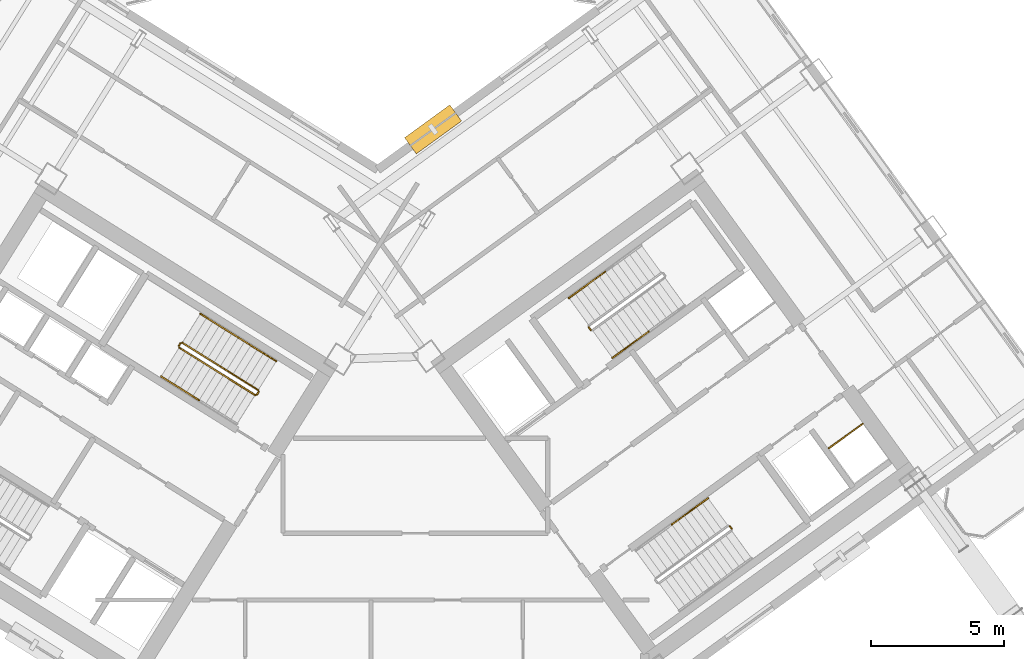
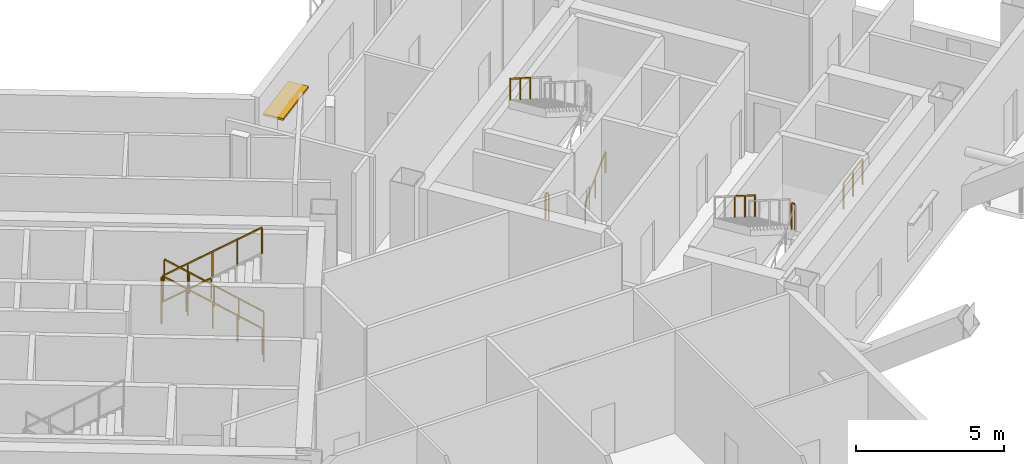
# One storey, part 30 of 32: 13 railings, 1 shading device.
"""IFC4 building model written with IfcOpenShell, lengths in metres."""

from ifc_helpers import new_model, si_unit, direction, frame, origin, origin_2d, place, context, subcontext, project, spatial, rectangle, extrude, source, transform, mapped, material, layer, layer_set, type_object, element, save


model = new_model("IFC4")

# Units and contexts
model_context = context("Model", 3, precision=1e-05, world=origin(), true_north=direction((0.0, 1.0)))
body_context = subcontext(model_context, "Body", "Model", "MODEL_VIEW")
ifc_project = project(units=[si_unit("LENGTHUNIT", "METRE"), si_unit("AREAUNIT", "SQUARE_METRE"), si_unit("VOLUMEUNIT", "CUBIC_METRE"), si_unit("PLANEANGLEUNIT", "RADIAN"), si_unit("MASSUNIT", "GRAM", prefix="KILO")], contexts=[model_context])

# Site, building, storey
site_placement = place(None, origin())
site = spatial("IfcSite", under=ifc_project, at=site_placement, CompositionType="ELEMENT")
building_placement = place(site_placement, origin())
building = spatial("IfcBuilding", under=site, at=building_placement, Name="Tlacorven Tower", CompositionType="ELEMENT")
storey_placement = place(building_placement, frame((0.0, 0.0, 123.300048828125)))
storey = spatial("IfcBuildingStorey", under=building, at=storey_placement, Name="L31", CompositionType="ELEMENT", Elevation=123.300048828125)

# Railing
ifc_material_1 = material(Name="Aluminium and painted steel balustrade", Category="steel")
railing_type_1 = type_object("IfcRailingType", Name="RL-GRD-1100", PredefinedType="GUARDRAIL", material=ifc_material_1)
shared_shape_1 = source(origin(), body_context, "Body", "SweptSolid", [
    extrude(rectangle(XDim=0.048095703125, YDim=0.048095703125, at=origin_2d()), frame((0.0, 0.0, 1.076171875), z_axis=(0.809029975545, 0.58776738483, 0.0), x_axis=(-0.58776738483, 0.809029975545, 0.0)), (0.0, 0.0, 1.0), 1.580078125),
    extrude(rectangle(XDim=0.0419921875, YDim=0.0419921875, at=origin_2d()), origin(), (0.0, 0.0, 1.0), 1.052001953125),
    extrude(rectangle(XDim=0.0419921875, YDim=0.0419921875, at=origin_2d()), frame((0.63916015625, 0.46435546875, 0.0)), (0.0, 0.0, 1.0), 1.052001953125),
    extrude(rectangle(XDim=0.0419921875, YDim=0.0419921875, at=origin_2d()), frame((1.2783203125, 0.9287109375, 0.0)), (0.0, 0.0, 1.0), 1.052001953125),
])
railing_1_placement = place(storey_placement, frame((59.160888671875, 21.122314453125, 0.0)))
element("IfcRailing", 1, at=railing_1_placement, inside=storey, type_object=railing_type_1, Name="L31 Smoke Riser E Shaft Guard 1", PredefinedType="GUARDRAIL", context=body_context, shape_type="MappedRepresentation", body=[
    mapped(shared_shape_1, transform((0.0, 0.0, 0.0), scale=1.0)),
])

# Shading device
ifc_material_2 = material(Name="Anodised bronze aluminium sunshade", Category="aluminium")
ifc_layer = layer(ifc_material_2, 0.080078125)
ifc_layer_set = layer_set([ifc_layer], Name="Anodised bronze aluminium sunshade")
shading_device_type = type_object("IfcShadingDeviceType", Name="SH-SUN-BRZ", PredefinedType="AWNING", material=ifc_layer_set)
shared_shape_2 = source(origin(), body_context, "Body", "SweptSolid", [
    extrude(rectangle(XDim=2.10009765625, YDim=0.75, at=origin_2d()), origin(), (0.0, 0.0, 1.0), 0.080078125),
])
shading_device_placement = place(storey_placement, frame((44.28564453125, 33.10791015625, 2.369873046875), z_axis=(0.0, 0.0, 1.0), x_axis=(0.809016703631, 0.587785652468, 0.0)))
element("IfcShadingDevice", 2, at=shading_device_placement, inside=storey, type_object=shading_device_type, Name="L31 Solar Brise-Soleil Sunshade L31-04.1", PredefinedType="AWNING", context=body_context, shape_type="MappedRepresentation", body=[
    mapped(shared_shape_2, transform((0.0, 0.0, 0.0), scale=1.0)),
])

# Railings
shared_shape_3 = source(origin(), body_context, "Body", "SweptSolid", [
    extrude(rectangle(XDim=0.048095703125, YDim=0.048095703125, at=origin_2d()), frame((0.0, 0.0, 1.076171875), z_axis=(-0.530546985787, -0.847655529016, 0.0), x_axis=(0.847655529016, -0.530546985787, 0.0)), (0.0, 0.0, 1.0), 0.1201171875),
    extrude(rectangle(XDim=0.0419921875, YDim=0.0419921875, at=origin_2d()), origin(), (0.0, 0.0, 1.0), 1.052001953125),
    extrude(rectangle(XDim=0.0419921875, YDim=0.0419921875, at=origin_2d()), frame((-0.063720703125, -0.101806640625, 0.0)), (0.0, 0.0, 1.0), 1.052001953125),
])
for number, where, name in (
    (3, (34.7939453125, 25.07421875, 2.25), "L31 ST-W2 stair guard 2"),
    (4, (37.728271484375, 23.24072265625, 0.0), "L31 ST-W2 stair guard 4"),
):
    element("IfcRailing", number, at=place(storey_placement, frame(where)), inside=storey, type_object=railing_type_1, Name=name, PredefinedType="GUARDRAIL", context=body_context, shape_type="MappedRepresentation", body=[
        mapped(shared_shape_3, transform((0.0, 0.0, 0.0), scale=1.0)),
    ])
shared_shape_4 = source(origin(), body_context, "Body", "SweptSolid", [
    extrude(rectangle(XDim=0.048095703125, YDim=0.048095703125, at=origin_2d()), frame((0.0, 0.0, 1.076171875), z_axis=(-0.721354668439, 0.45076168254, 0.525795918465), x_axis=(-0.529927092104, -0.84804320471, 0.0)), (0.0, 0.0, 1.0), 3.949951171875),
    extrude(rectangle(XDim=0.0419921875, YDim=0.0419921875, at=origin_2d()), origin(), (0.0, 0.0, 1.0), 1.052001953125),
    extrude(rectangle(XDim=0.0419921875, YDim=0.0419921875, at=origin_2d()), frame((-0.71240234375, 0.445068359375, 0.519287109375)), (0.0, 0.0, 1.0), 1.052001953125),
    extrude(rectangle(XDim=0.0419921875, YDim=0.0419921875, at=origin_2d()), frame((-1.4248046875, 0.89013671875, 1.03857421875)), (0.0, 0.0, 1.0), 1.052001953125),
    extrude(rectangle(XDim=0.0419921875, YDim=0.0419921875, at=origin_2d()), frame((-2.136962890625, 1.33544921875, 1.5576171875)), (0.0, 0.0, 1.0), 1.052001953125),
    extrude(rectangle(XDim=0.0419921875, YDim=0.0419921875, at=origin_2d()), frame((-2.849365234375, 1.780517578125, 2.076904296875)), (0.0, 0.0, 1.0), 1.052001953125),
])
railing_2_placement = place(storey_placement, frame((37.712158203125, 23.3095703125, 0.173095703125)))
element("IfcRailing", 5, at=railing_2_placement, inside=storey, type_object=railing_type_1, Name="L31 ST-W2 stair guard 1", PredefinedType="GUARDRAIL", context=body_context, shape_type="MappedRepresentation", body=[
    mapped(shared_shape_4, transform((0.0, 0.0, 0.0), scale=1.0)),
])
railing_type_2 = type_object("IfcRailingType", Name="RL-HND-0900", PredefinedType="HANDRAIL", material=ifc_material_1)
shared_shape_5 = source(origin(), body_context, "Body", "SweptSolid", [
    extrude(rectangle(XDim=0.048095703125, YDim=0.048095703125, at=origin_2d()), frame((0.0, 0.0, 0.8759765625), z_axis=(-0.721387654753, 0.450805479247, 0.525713107551), x_axis=(-0.529946692594, -0.848030956397, 0.0)), (0.0, 0.0, 1.0), 1.97509765625),
    extrude(rectangle(XDim=0.0419921875, YDim=0.0419921875, at=origin_2d()), origin(), (0.0, 0.0, 1.0), 0.851806640625),
    extrude(rectangle(XDim=0.0419921875, YDim=0.0419921875, at=origin_2d()), frame((-0.71240234375, 0.4453125, 0.51904296875)), (0.0, 0.0, 1.0), 0.851806640625),
    extrude(rectangle(XDim=0.0419921875, YDim=0.0419921875, at=origin_2d()), frame((-1.4248046875, 0.890380859375, 1.038330078125)), (0.0, 0.0, 1.0), 0.851806640625),
])
railing_3_placement = place(storey_placement, frame((38.390625, 24.39501953125, 0.173095703125)))
element("IfcRailing", 6, at=railing_3_placement, inside=storey, type_object=railing_type_2, Name="L31 ST-W2 stair handrail 1", PredefinedType="HANDRAIL", context=body_context, shape_type="MappedRepresentation", body=[
    mapped(shared_shape_5, transform((0.0, 0.0, 0.0), scale=1.0)),
])
shared_shape_6 = source(origin(), body_context, "Body", "SweptSolid", [
    extrude(rectangle(XDim=0.048095703125, YDim=0.048095703125, at=origin_2d()), frame((0.0, 0.0, 0.8759765625), z_axis=(-0.721380964259, 0.45067768946, 0.525831840637), x_axis=(-0.52984217967, -0.848096259066, 0.0)), (0.0, 0.0, 1.0), 1.97509765625),
    extrude(rectangle(XDim=0.0419921875, YDim=0.0419921875, at=origin_2d()), origin(), (0.0, 0.0, 1.0), 0.851806640625),
    extrude(rectangle(XDim=0.0419921875, YDim=0.0419921875, at=origin_2d()), frame((-0.71240234375, 0.445068359375, 0.519287109375)), (0.0, 0.0, 1.0), 0.851806640625),
    extrude(rectangle(XDim=0.0419921875, YDim=0.0419921875, at=origin_2d()), frame((-1.4248046875, 0.89013671875, 1.03857421875)), (0.0, 0.0, 1.0), 0.851806640625),
])
railing_4_placement = place(storey_placement, frame((36.9658203125, 25.285400390625, 1.21142578125)))
element("IfcRailing", 7, at=railing_4_placement, inside=storey, type_object=railing_type_2, Name="L31 ST-W2 stair handrail 2", PredefinedType="HANDRAIL", context=body_context, shape_type="MappedRepresentation", body=[
    mapped(shared_shape_6, transform((0.0, 0.0, 0.0), scale=1.0)),
])
shared_shape_7 = source(origin(), body_context, "Body", "SweptSolid", [
    extrude(rectangle(XDim=0.048095703125, YDim=0.048095703125, at=origin_2d()), frame((0.0, 0.0, 1.076171875), z_axis=(0.721354668439, -0.45076168254, 0.525795918465), x_axis=(0.529927092104, 0.84804320471, 0.0)), (0.0, 0.0, 1.0), 3.949951171875),
    extrude(rectangle(XDim=0.0419921875, YDim=0.0419921875, at=origin_2d()), origin(), (0.0, 0.0, 1.0), 1.052001953125),
    extrude(rectangle(XDim=0.0419921875, YDim=0.0419921875, at=origin_2d()), frame((0.71240234375, -0.445068359375, 0.519287109375)), (0.0, 0.0, 1.0), 1.052001953125),
    extrude(rectangle(XDim=0.0419921875, YDim=0.0419921875, at=origin_2d()), frame((1.4248046875, -0.89013671875, 1.03857421875)), (0.0, 0.0, 1.0), 1.052001953125),
    extrude(rectangle(XDim=0.0419921875, YDim=0.0419921875, at=origin_2d()), frame((2.136962890625, -1.33544921875, 1.5576171875)), (0.0, 0.0, 1.0), 1.052001953125),
    extrude(rectangle(XDim=0.0419921875, YDim=0.0419921875, at=origin_2d()), frame((2.849365234375, -1.780517578125, 2.076904296875)), (0.0, 0.0, 1.0), 1.052001953125),
])
railing_5_placement = place(storey_placement, frame((34.746337890625, 24.903564453125, 2.423095703125)))
element("IfcRailing", 8, at=railing_5_placement, inside=storey, type_object=railing_type_1, Name="L31 ST-W2 stair guard 3", PredefinedType="GUARDRAIL", context=body_context, shape_type="MappedRepresentation", body=[
    mapped(shared_shape_7, transform((0.0, 0.0, 0.0), scale=1.0)),
])
shared_shape_8 = source(origin(), body_context, "Body", "SweptSolid", [
    extrude(rectangle(XDim=0.048095703125, YDim=0.048095703125, at=origin_2d()), frame((0.0, 0.0, 0.8759765625), z_axis=(0.721427851237, -0.45070698177, 0.525742400842), x_axis=(0.52984217967, 0.848096259066, 0.0)), (0.0, 0.0, 1.0), 1.97509765625),
    extrude(rectangle(XDim=0.0419921875, YDim=0.0419921875, at=origin_2d()), origin(), (0.0, 0.0, 1.0), 0.851806640625),
    extrude(rectangle(XDim=0.0419921875, YDim=0.0419921875, at=origin_2d()), frame((0.71240234375, -0.445068359375, 0.51904296875)), (0.0, 0.0, 1.0), 0.851806640625),
    extrude(rectangle(XDim=0.0419921875, YDim=0.0419921875, at=origin_2d()), frame((1.4248046875, -0.89013671875, 1.038330078125)), (0.0, 0.0, 1.0), 0.851806640625),
])
railing_6_placement = place(storey_placement, frame((34.06787109375, 23.81787109375, 2.423095703125)))
element("IfcRailing", 9, at=railing_6_placement, inside=storey, type_object=railing_type_2, Name="L31 ST-W2 stair handrail 3", PredefinedType="HANDRAIL", context=body_context, shape_type="MappedRepresentation", body=[
    mapped(shared_shape_8, transform((0.0, 0.0, 0.0), scale=1.0)),
])
shared_shape_9 = source(origin(), body_context, "Body", "SweptSolid", [
    extrude(rectangle(XDim=0.048095703125, YDim=0.048095703125, at=origin_2d()), frame((0.0, 0.0, 1.076171875), z_axis=(-0.587567097037, 0.809175448515, 0.0), x_axis=(-0.809175448515, -0.587567097037, 0.0)), (0.0, 0.0, 1.0), 0.1201171875),
    extrude(rectangle(XDim=0.0419921875, YDim=0.0419921875, at=origin_2d()), origin(), (0.0, 0.0, 1.0), 1.052001953125),
    extrude(rectangle(XDim=0.0419921875, YDim=0.0419921875, at=origin_2d()), frame((-0.070556640625, 0.09716796875, 0.0)), (0.0, 0.0, 1.0), 1.052001953125),
])
railing_7_placement = place(storey_placement, frame((55.510498046875, 18.099365234375, 2.25)))
element("IfcRailing", 10, at=railing_7_placement, inside=storey, type_object=railing_type_1, Name="L31 ST-E2 stair guard 2", PredefinedType="GUARDRAIL", context=body_context, shape_type="MappedRepresentation", body=[
    mapped(shared_shape_9, transform((0.0, 0.0, 0.0), scale=1.0)),
])
shared_shape_10 = source(origin(), body_context, "Body", "SweptSolid", [
    extrude(rectangle(XDim=0.048095703125, YDim=0.048095703125, at=origin_2d()), frame((0.0, 0.0, 1.076171875), z_axis=(-0.587201422542, 0.809440849824, 0.0), x_axis=(-0.809440849824, -0.587201422542, 0.0)), (0.0, 0.0, 1.0), 0.11962890625),
    extrude(rectangle(XDim=0.0419921875, YDim=0.0419921875, at=origin_2d()), origin(), (0.0, 0.0, 1.0), 1.052001953125),
    extrude(rectangle(XDim=0.0419921875, YDim=0.0419921875, at=origin_2d()), frame((-0.0703125, 0.096923828125, 0.0)), (0.0, 0.0, 1.0), 1.052001953125),
])
railing_8_placement = place(storey_placement, frame((50.207275390625, 25.56884765625, 0.0)))
element("IfcRailing", 11, at=railing_8_placement, inside=storey, type_object=railing_type_1, Name="L31 ST-E1 stair guard 4", PredefinedType="GUARDRAIL", context=body_context, shape_type="MappedRepresentation", body=[
    mapped(shared_shape_10, transform((0.0, 0.0, 0.0), scale=1.0)),
])
shared_shape_11 = source(origin(), body_context, "Body", "SweptSolid", [
    extrude(rectangle(XDim=0.048095703125, YDim=0.048095703125, at=origin_2d()), frame((0.0, 0.0, 0.8759765625), z_axis=(-0.688123352181, -0.499992627909, 0.525826610414), x_axis=(0.587817375869, -0.808993654256, 0.0)), (0.0, 0.0, 1.0), 1.97509765625),
    extrude(rectangle(XDim=0.0419921875, YDim=0.0419921875, at=origin_2d()), origin(), (0.0, 0.0, 1.0), 0.851806640625),
    extrude(rectangle(XDim=0.0419921875, YDim=0.0419921875, at=origin_2d()), frame((-0.6796875, -0.49365234375, 0.519287109375)), (0.0, 0.0, 1.0), 0.851806640625),
    extrude(rectangle(XDim=0.0419921875, YDim=0.0419921875, at=origin_2d()), frame((-1.359130859375, -0.987548828125, 1.03857421875)), (0.0, 0.0, 1.0), 0.851806640625),
])
railing_9_placement = place(storey_placement, frame((50.754638671875, 27.7587890625, 3.46142578125)))
element("IfcRailing", 12, at=railing_9_placement, inside=storey, type_object=railing_type_2, Name="L31 ST-E1 stair handrail 4", PredefinedType="HANDRAIL", context=body_context, shape_type="MappedRepresentation", body=[
    mapped(shared_shape_11, transform((0.0, 0.0, 0.0), scale=1.0)),
])
shared_shape_12 = source(origin(), body_context, "Body", "SweptSolid", [
    extrude(rectangle(XDim=0.048095703125, YDim=0.048095703125, at=origin_2d()), frame((0.0, 0.0, 0.8759765625), z_axis=(-0.688168076653, -0.500025124854, 0.525737170829), x_axis=(0.587817375869, -0.808993654256, 0.0)), (0.0, 0.0, 1.0), 1.97509765625),
    extrude(rectangle(XDim=0.0419921875, YDim=0.0419921875, at=origin_2d()), origin(), (0.0, 0.0, 1.0), 0.851806640625),
    extrude(rectangle(XDim=0.0419921875, YDim=0.0419921875, at=origin_2d()), frame((-0.6796875, -0.49365234375, 0.51904296875)), (0.0, 0.0, 1.0), 0.851806640625),
    extrude(rectangle(XDim=0.0419921875, YDim=0.0419921875, at=origin_2d()), frame((-1.359130859375, -0.987548828125, 1.038330078125)), (0.0, 0.0, 1.0), 0.851806640625),
])
railing_10_placement = place(storey_placement, frame((54.617919921875, 19.2431640625, 2.423095703125)))
element("IfcRailing", 13, at=railing_10_placement, inside=storey, type_object=railing_type_2, Name="L31 ST-E2 stair handrail 3", PredefinedType="HANDRAIL", context=body_context, shape_type="MappedRepresentation", body=[
    mapped(shared_shape_12, transform((0.0, 0.0, 0.0), scale=1.0)),
])
shared_shape_13 = source(origin(), body_context, "Body", "SweptSolid", [
    extrude(rectangle(XDim=0.048095703125, YDim=0.048095703125, at=origin_2d()), frame((0.0, 0.0, 0.8759765625), z_axis=(0.688168076653, 0.500025124854, 0.525737170829), x_axis=(-0.587817375869, 0.808993654256, 0.0)), (0.0, 0.0, 1.0), 1.97509765625),
    extrude(rectangle(XDim=0.0419921875, YDim=0.0419921875, at=origin_2d()), origin(), (0.0, 0.0, 1.0), 0.851806640625),
    extrude(rectangle(XDim=0.0419921875, YDim=0.0419921875, at=origin_2d()), frame((0.6796875, 0.49365234375, 0.51904296875)), (0.0, 0.0, 1.0), 0.851806640625),
    extrude(rectangle(XDim=0.0419921875, YDim=0.0419921875, at=origin_2d()), frame((1.359130859375, 0.987548828125, 1.038330078125)), (0.0, 0.0, 1.0), 0.851806640625),
])
railing_11_placement = place(storey_placement, frame((51.029541015625, 24.522216796875, 0.173095703125)))
element("IfcRailing", 14, at=railing_11_placement, inside=storey, type_object=railing_type_2, Name="L31 ST-E1 stair handrail 1", PredefinedType="HANDRAIL", context=body_context, shape_type="MappedRepresentation", body=[
    mapped(shared_shape_13, transform((0.0, 0.0, 0.0), scale=1.0)),
])

save(model, "model.ifc")
